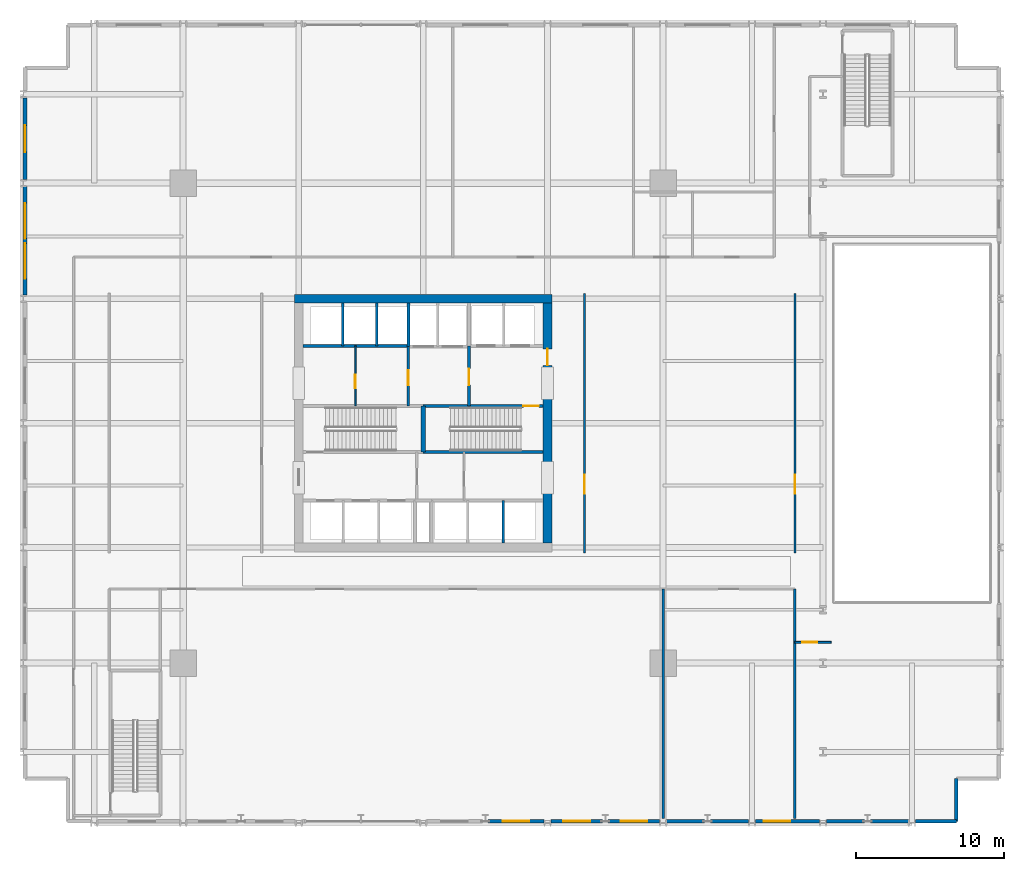
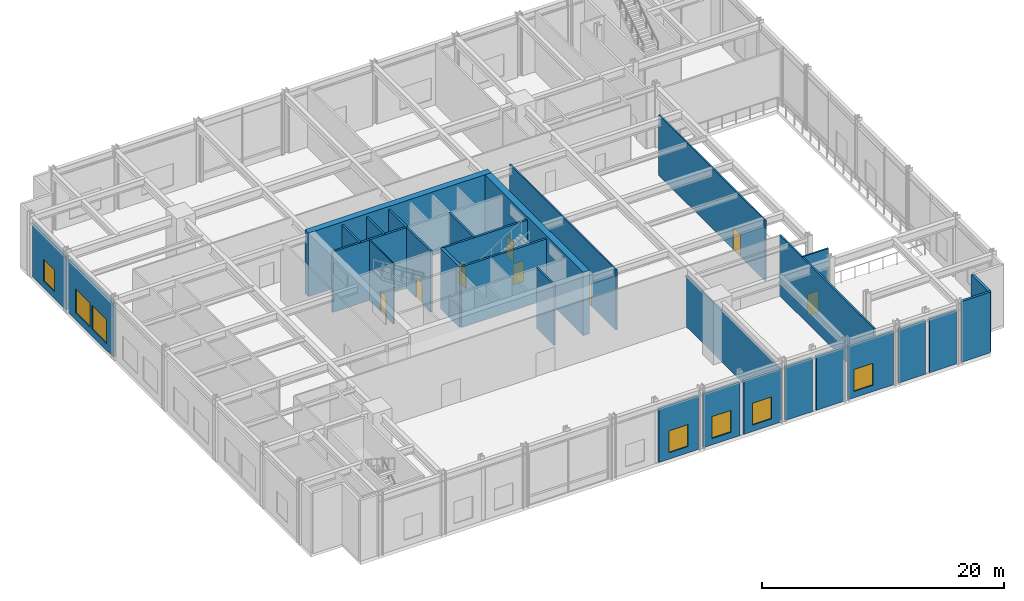
# One storey, part 12 of 20: 30 walls, 8 doors, 7 windows, 15 openings.
"""IFC4 building model written with IfcOpenShell, lengths in metres."""

from ifc_helpers import new_model, si_unit, direction, frame, frame_2d, origin, place, context, subcontext, project, spatial, rectangle, extrude, material, layer, layer_set, type_object, element, fill, save


model = new_model("IFC4")

# Units and contexts
model_context = context("Model", 3, precision=1e-05, world=origin(), true_north=direction((0.0, 1.0)))
body_context = subcontext(model_context, "Body", "Model", "MODEL_VIEW")
ifc_project = project(units=[si_unit("LENGTHUNIT", "METRE"), si_unit("AREAUNIT", "SQUARE_METRE"), si_unit("VOLUMEUNIT", "CUBIC_METRE"), si_unit("PLANEANGLEUNIT", "RADIAN"), si_unit("MASSUNIT", "GRAM", prefix="KILO")], contexts=[model_context])

# Site, building, storey
site_placement = place(None, origin())
site = spatial("IfcSite", under=ifc_project, at=site_placement, CompositionType="ELEMENT")
building_placement = place(site_placement, origin())
building = spatial("IfcBuilding", under=site, at=building_placement, Name="Drelvath Grand Hotel", CompositionType="ELEMENT")
storey_placement = place(building_placement, frame((0.0, 0.0, 10.800048828125)))
storey = spatial("IfcBuildingStorey", under=building, at=storey_placement, Name="L02", CompositionType="ELEMENT", Elevation=10.800048828125)

# Wall, opening, door
ifc_material_1 = material(Name="Gypsum Partition Board")
ifc_layer_1 = layer(ifc_material_1, 0.10009765625)
ifc_layer_set_1 = layer_set([ifc_layer_1], Name="Gypsum Partition Board")
wall_type_1 = type_object("IfcWallType", Name="Core Closet Partition 100", PredefinedType="PARTITIONING", material=ifc_layer_set_1)
wall_1_placement = place(storey_placement, frame((-4.580078125, 28.159912109375, 0.0), z_axis=(0.0, 0.0, 1.0), x_axis=(0.0, 1.0, 0.0)))
wall_1 = element("IfcWall", 1, at=wall_1_placement, inside=storey, type_object=wall_type_1, Name="L02 Core Closet Divider", PredefinedType="PARTITIONING", context=body_context, shape_type="SweptSolid", body=[
    extrude(rectangle(XDim=4.06005859375, YDim=0.10009765625, at=frame_2d((2.030029296875, 0.0))), origin(), (0.0, 0.0, 1.0), 6.099853515625),
])
opening_1_placement = place(wall_1_placement, frame((1.199951171875, 0.0, 0.0)))
opening_1 = element("IfcOpeningElement", 2, at=opening_1_placement, cuts=wall_1, Name="Opening D-L02-010", PredefinedType="OPENING", context=body_context, shape_type="SweptSolid", body=[
    extrude(rectangle(XDim=0.919921875, YDim=2.10009765625, at=frame_2d((0.4599609375, 1.050048828125))), frame((0.0, 0.06005859375, 0.0), z_axis=(0.0, -1.0, 0.0), x_axis=(1.0, 0.0, 0.0)), (0.0, 0.0, 1.0), 0.1201171875),
])
ifc_material_2 = material(Name="Painted Steel S275", Category="steel")
door_type_1 = type_object("IfcDoorType", Name="Staff Utility Door 920x2100", OperationType="NOTDEFINED", PredefinedType="DOOR", material=ifc_material_2)
door_1_placement = place(opening_1_placement, origin())
door_1 = element("IfcDoor", 3, at=door_1_placement, inside=storey, type_object=door_type_1, Name="L02 Electrical Closet Door", OperationType="SINGLE_SWING_RIGHT", OverallHeight=2.10009765625, OverallWidth=0.919921875, PredefinedType="DOOR", context=body_context, shape_type="SweptSolid", body=[
    extrude(rectangle(XDim=0.919921875, YDim=2.10009765625, at=frame_2d((0.4599609375, 1.050048828125))), frame((0.0, 0.02490234375, 0.0), z_axis=(0.0, -1.0, 0.0), x_axis=(1.0, 0.0, 0.0)), (0.0, 0.0, 1.0), 0.050048828125),
])
fill(opening_1, door_1)

# Walls
ifc_material_3 = material(Name="Concrete C40/50", Category="concrete")
ifc_layer_2 = layer(ifc_material_3, 0.199951171875)
ifc_layer_set_2 = layer_set([ifc_layer_2], Name="Concrete C40/50")
wall_type_2 = type_object("IfcWallType", Name="Core Hoistway Fire Wall 200", PredefinedType="SOLIDWALL", material=ifc_layer_set_2)
wall_2_placement = place(storey_placement, frame((-1.0, 32.179931640625, 0.0), z_axis=(0.0, 0.0, 1.0), x_axis=(0.0, 1.0, 0.0)))
element("IfcWall", 4, at=wall_2_placement, inside=storey, type_object=wall_type_2, Name="L02 Service Lift West Wall", PredefinedType="SOLIDWALL", context=body_context, shape_type="SweptSolid", body=[
    extrude(rectangle(XDim=2.920166015625, YDim=0.199951171875, at=frame_2d((1.4599609375, 0.0))), origin(), (0.0, 0.0, 1.0), 6.099853515625),
])
wall_3_placement = place(storey_placement, frame((-8.10009765625, 32.219970703125, 0.0), z_axis=(0.0, 0.0, 1.0), x_axis=(1.0, 0.0, 0.0)))
element("IfcWall", 5, at=wall_3_placement, inside=storey, type_object=wall_type_2, Name="L02 Bank 3 Hoistway Wall", PredefinedType="SOLIDWALL", context=body_context, shape_type="SweptSolid", body=[
    extrude(rectangle(XDim=7.10009765625, YDim=0.199951171875, at=frame_2d((3.550048828125, 0.0))), origin(), (0.0, 0.0, 1.0), 6.099853515625),
])
ifc_layer_3 = layer(ifc_material_3, 0.199951171875)
ifc_layer_set_3 = layer_set([ifc_layer_3], Name="Concrete C40/50")
wall_type_3 = type_object("IfcWallType", Name="Core Shaft Fire Wall 200", PredefinedType="SOLIDWALL", material=ifc_layer_set_3)
wall_4_placement = place(storey_placement, frame((0.0, 25.0400390625, 0.0), z_axis=(0.0, 0.0, 1.0), x_axis=(1.0, 0.0, 0.0)))
element("IfcWall", 6, at=wall_4_placement, inside=storey, type_object=wall_type_3, Name="L02 Stair ST-2 South Wall", PredefinedType="SOLIDWALL", context=body_context, shape_type="SweptSolid", body=[
    extrude(rectangle(XDim=8.10009765625, YDim=0.199951171875, at=frame_2d((4.050048828125, 0.0))), origin(), (0.0, 0.0, 1.0), 6.099853515625),
])

# Wall, opening, door
wall_5_placement = place(storey_placement, frame((8.10009765625, 28.159912109375, 0.0), z_axis=(0.0, 0.0, 1.0), x_axis=(-1.0, 0.0, 0.0)))
wall_5 = element("IfcWall", 7, at=wall_5_placement, inside=storey, type_object=wall_type_3, Name="L02 Stair ST-2 North Wall", PredefinedType="SOLIDWALL", context=body_context, shape_type="SweptSolid", body=[
    extrude(rectangle(XDim=8.10009765625, YDim=0.199951171875, at=frame_2d((4.050048828125, 0.0))), origin(), (0.0, 0.0, 1.0), 6.099853515625),
])
opening_2_placement = place(wall_5_placement, frame((0.280029296875, 0.0, 0.0)))
opening_2 = element("IfcOpeningElement", 8, at=opening_2_placement, cuts=wall_5, Name="Opening D-L02-002", PredefinedType="OPENING", context=body_context, shape_type="SweptSolid", body=[
    extrude(rectangle(XDim=1.050048828125, YDim=2.10009765625, at=frame_2d((0.52490234375, 1.050048828125))), frame((0.0, 0.10986328125, 0.0), z_axis=(0.0, -1.0, 0.0), x_axis=(1.0, 0.0, 0.0)), (0.0, 0.0, 1.0), 0.219970703125),
])
door_type_2 = type_object("IfcDoorType", Name="Tower Stairwell Fire Door 1050x2100", OperationType="NOTDEFINED", PredefinedType="DOOR", material=ifc_material_2)
door_2_placement = place(opening_2_placement, origin())
door_2 = element("IfcDoor", 9, at=door_2_placement, inside=storey, type_object=door_type_2, Name="L02 Exit Stair ST-2 Door", OperationType="SINGLE_SWING_LEFT", OverallHeight=2.10009765625, OverallWidth=1.050048828125, PredefinedType="DOOR", context=body_context, shape_type="SweptSolid", body=[
    extrude(rectangle(XDim=1.050048828125, YDim=2.10009765625, at=frame_2d((0.52490234375, 1.050048828125))), frame((0.0, 0.02490234375, 0.0), z_axis=(0.0, -1.0, 0.0), x_axis=(1.0, 0.0, 0.0)), (0.0, 0.0, 1.0), 0.050048828125),
])
fill(opening_2, door_2)

# Walls
ifc_layer_4 = layer(ifc_material_3, 0.300048828125)
ifc_layer_set_4 = layer_set([ifc_layer_4], Name="Concrete C40/50")
wall_type_4 = type_object("IfcWallType", Name="Core Shaft Fire Wall 300", PredefinedType="SOLIDWALL", material=ifc_layer_set_4)
wall_6_placement = place(storey_placement, frame((0.0, 25.0400390625, 0.0), z_axis=(0.0, 0.0, 1.0), x_axis=(0.0, 1.0, 0.0)))
element("IfcWall", 10, at=wall_6_placement, inside=storey, type_object=wall_type_4, Name="L02 Core Stair Divider Wall", PredefinedType="SOLIDWALL", context=body_context, shape_type="SweptSolid", body=[
    extrude(rectangle(XDim=3.119873046875, YDim=0.300048828125, at=frame_2d((1.56005859375, 0.0))), origin(), (0.0, 0.0, 1.0), 6.099853515625),
])
ifc_material_4 = material(Name="Gypsum Fireboard Partition")
ifc_layer_5 = layer(ifc_material_4, 0.1650390625)
ifc_layer_set_5 = layer_set([ifc_layer_5], Name="Gypsum Fireboard Partition")
wall_type_5 = type_object("IfcWallType", Name="Core Shaft Partition 165", PredefinedType="PARTITIONING", material=ifc_layer_set_5)
for number, where, z_axis, x_axis, name in (
    (11, (-5.43994140625, 32.219970703125, 0.0), (0.0, 0.0, 1.0), (0.0, 1.0, 0.0), "L02 Lift PE-7/8 Divider"),
    (12, (-3.1201171875, 32.219970703125, 0.0), (0.0, 0.0, 1.0), (0.0, 1.0, 0.0), "L02 Lift PE-8/9 Divider"),
    (13, (5.39990234375, 18.89990234375, 0.0), (0.0, 0.0, 1.0), (0.0, 1.0, 0.0), "L02 Lift PE-5/6 Divider"),
):
    element("IfcWall", number, at=place(storey_placement, frame(where, z_axis=z_axis, x_axis=x_axis)), inside=storey, type_object=wall_type_5, Name=name, PredefinedType="PARTITIONING", context=body_context, shape_type="SweptSolid", body=[
        extrude(rectangle(XDim=2.880126953125, YDim=0.1650390625, at=frame_2d((1.43994140625, 0.0))), origin(), (0.0, 0.0, 1.0), 6.099853515625),
    ])

# Wall, opening, door
ifc_layer_6 = layer(ifc_material_4, 0.135009765625)
ifc_layer_set_6 = layer_set([ifc_layer_6], Name="Gypsum Fireboard Partition")
wall_type_6 = type_object("IfcWallType", Name="Corridor Fire Barrier Wall 135", PredefinedType="PARTITIONING", material=ifc_layer_set_6)
wall_7_placement = place(storey_placement, frame((10.89990234375, 18.239990234375, 0.0), z_axis=(0.0, 0.0, 1.0), x_axis=(0.0, 1.0, 0.0)))
wall_7 = element("IfcWall", 14, at=wall_7_placement, inside=storey, type_object=wall_type_6, Name="L02 East Inner Gallery Wall", PredefinedType="PARTITIONING", context=body_context, shape_type="SweptSolid", body=[
    extrude(rectangle(XDim=17.52001953125, YDim=0.135009765625, at=frame_2d((8.760009765625, 0.0))), origin(), (0.0, 0.0, 1.0), 6.099853515625),
])
opening_3_placement = place(wall_7_placement, frame((4.0, 0.0, 0.0)))
opening_3 = element("IfcOpeningElement", 15, at=opening_3_placement, cuts=wall_7, Name="Opening D-L02-032", PredefinedType="OPENING", context=body_context, shape_type="SweptSolid", body=[
    extrude(rectangle(XDim=1.260009765625, YDim=2.199951171875, at=frame_2d((0.6298828125, 1.10009765625))), frame((0.0, 0.077392578125, 0.0), z_axis=(0.0, -1.0, 0.0), x_axis=(1.0, 0.0, 0.0)), (0.0, 0.0, 1.0), 0.155029296875),
])
ifc_material_5 = material(Name="Hardwood Walnut Timber", Category="wood")
door_type_3 = type_object("IfcDoorType", Name="Suite Entrance Fire Door 1260x2200", OperationType="NOTDEFINED", PredefinedType="DOOR", material=ifc_material_5)
door_3_placement = place(opening_3_placement, origin())
door_3 = element("IfcDoor", 16, at=door_3_placement, inside=storey, type_object=door_type_3, Name="L02 Center-East Room West Door", OperationType="SINGLE_SWING_RIGHT", OverallHeight=2.199951171875, OverallWidth=1.260009765625, PredefinedType="DOOR", context=body_context, shape_type="SweptSolid", body=[
    extrude(rectangle(XDim=1.260009765625, YDim=2.199951171875, at=frame_2d((0.6298828125, 1.10009765625))), frame((0.0, 0.02490234375, 0.0), z_axis=(0.0, -1.0, 0.0), x_axis=(1.0, 0.0, 0.0)), (0.0, 0.0, 1.0), 0.050048828125),
])
fill(opening_3, door_3)

wall_8_placement = place(storey_placement, frame((25.10009765625, 18.239990234375, 0.0), z_axis=(0.0, 0.0, 1.0), x_axis=(0.0, 1.0, 0.0)))
wall_8 = element("IfcWall", 17, at=wall_8_placement, inside=storey, type_object=wall_type_6, Name="L02 Atrium Promenade Inner Wall", PredefinedType="PARTITIONING", context=body_context, shape_type="SweptSolid", body=[
    extrude(rectangle(XDim=17.52001953125, YDim=0.135009765625, at=frame_2d((8.760009765625, 0.0))), origin(), (0.0, 0.0, 1.0), 6.099853515625),
])
opening_4_placement = place(wall_8_placement, frame((4.0, 0.0, 0.0)))
opening_4 = element("IfcOpeningElement", 18, at=opening_4_placement, cuts=wall_8, Name="Opening D-L02-033", PredefinedType="OPENING", context=body_context, shape_type="SweptSolid", body=[
    extrude(rectangle(XDim=1.260009765625, YDim=2.199951171875, at=frame_2d((0.6298828125, 1.10009765625))), frame((0.0, 0.077392578125, 0.0), z_axis=(0.0, -1.0, 0.0), x_axis=(1.0, 0.0, 0.0)), (0.0, 0.0, 1.0), 0.155029296875),
])
door_4_placement = place(opening_4_placement, origin())
door_4 = element("IfcDoor", 19, at=door_4_placement, inside=storey, type_object=door_type_3, Name="L02 Center-East Room Atrium Door", OperationType="SINGLE_SWING_LEFT", OverallHeight=2.199951171875, OverallWidth=1.260009765625, PredefinedType="DOOR", context=body_context, shape_type="SweptSolid", body=[
    extrude(rectangle(XDim=1.260009765625, YDim=2.199951171875, at=frame_2d((0.6298828125, 1.10009765625))), frame((0.0, 0.02490234375, 0.0), z_axis=(0.0, -1.0, 0.0), x_axis=(1.0, 0.0, 0.0)), (0.0, 0.0, 1.0), 0.050048828125),
])
fill(opening_4, door_4)

wall_9_placement = place(storey_placement, frame((25.10009765625, 12.199951171875, 0.0), z_axis=(0.0, 0.0, 1.0), x_axis=(1.0, 0.0, 0.0)))
wall_9 = element("IfcWall", 20, at=wall_9_placement, inside=storey, type_object=wall_type_6, Name="L02 SE Atrium Corner Return", PredefinedType="PARTITIONING", context=body_context, shape_type="SweptSolid", body=[
    extrude(rectangle(XDim=2.449951171875, YDim=0.135009765625, at=frame_2d((1.22509765625, 0.0))), origin(), (0.0, 0.0, 1.0), 6.099853515625),
])
opening_5_placement = place(wall_9_placement, frame((0.5, 0.0, 0.0)))
opening_5 = element("IfcOpeningElement", 21, at=opening_5_placement, cuts=wall_9, Name="Opening D-L02-022", PredefinedType="OPENING", context=body_context, shape_type="SweptSolid", body=[
    extrude(rectangle(XDim=1.02001953125, YDim=2.14990234375, at=frame_2d((0.510009765625, 1.074951171875))), frame((0.0, 0.077392578125, 0.0), z_axis=(0.0, -1.0, 0.0), x_axis=(1.0, 0.0, 0.0)), (0.0, 0.0, 1.0), 0.155029296875),
])
door_type_4 = type_object("IfcDoorType", Name="Amenity Meeting Fire Door 1020x2150", OperationType="NOTDEFINED", PredefinedType="DOOR", material=ifc_material_5)
door_5_placement = place(opening_5_placement, origin())
door_5 = element("IfcDoor", 22, at=door_5_placement, inside=storey, type_object=door_type_4, Name="L02 SE VIP Salon Door", OperationType="SINGLE_SWING_LEFT", OverallHeight=2.14990234375, OverallWidth=1.02001953125, PredefinedType="DOOR", context=body_context, shape_type="SweptSolid", body=[
    extrude(rectangle(XDim=1.02001953125, YDim=2.14990234375, at=frame_2d((0.510009765625, 1.074951171875))), frame((0.0, 0.02490234375, 0.0), z_axis=(0.0, -1.0, 0.0), x_axis=(1.0, 0.0, 0.0)), (0.0, 0.0, 1.0), 0.050048828125),
])
fill(opening_5, door_5)

ifc_layer_7 = layer(ifc_material_4, 0.179931640625)
ifc_layer_set_7 = layer_set([ifc_layer_7], Name="Gypsum Fireboard Partition")
wall_type_7 = type_object("IfcWallType", Name="FSAE Smoke Lobby Fire Wall 180", PredefinedType="SOLIDWALL", material=ifc_layer_set_7)
wall_10_placement = place(storey_placement, frame((3.10009765625, 28.159912109375, 0.0), z_axis=(0.0, 0.0, 1.0), x_axis=(0.0, 1.0, 0.0)))
wall_10 = element("IfcWall", 23, at=wall_10_placement, inside=storey, type_object=wall_type_7, Name="L02 FSAE Smoke Lobby West Wall", PredefinedType="SOLIDWALL", context=body_context, shape_type="SweptSolid", body=[
    extrude(rectangle(XDim=4.06005859375, YDim=0.179931640625, at=frame_2d((2.030029296875, 0.0))), origin(), (0.0, 0.0, 1.0), 6.099853515625),
])
opening_6_placement = place(wall_10_placement, frame((1.39990234375, 0.0, 0.0)))
opening_6 = element("IfcOpeningElement", 24, at=opening_6_placement, cuts=wall_10, Name="Opening D-L02-005", PredefinedType="OPENING", context=body_context, shape_type="SweptSolid", body=[
    extrude(rectangle(XDim=1.1201171875, YDim=2.10009765625, at=frame_2d((0.56005859375, 1.050048828125))), frame((0.0, 0.099853515625, 0.0), z_axis=(0.0, -1.0, 0.0), x_axis=(1.0, 0.0, 0.0)), (0.0, 0.0, 1.0), 0.199951171875),
])
door_type_5 = type_object("IfcDoorType", Name="FSAE Smoke Lobby Fire Door 1120x2100", OperationType="NOTDEFINED", PredefinedType="DOOR", material=ifc_material_2)
door_6_placement = place(opening_6_placement, origin())
door_6 = element("IfcDoor", 25, at=door_6_placement, inside=storey, type_object=door_type_5, Name="L02 FSAE Lobby Service Vestibule Door", OperationType="SINGLE_SWING_RIGHT", OverallHeight=2.10009765625, OverallWidth=1.1201171875, PredefinedType="DOOR", context=body_context, shape_type="SweptSolid", body=[
    extrude(rectangle(XDim=1.1201171875, YDim=2.10009765625, at=frame_2d((0.56005859375, 1.050048828125))), frame((0.0, 0.02490234375, 0.0), z_axis=(0.0, -1.0, 0.0), x_axis=(1.0, 0.0, 0.0)), (0.0, 0.0, 1.0), 0.050048828125),
])
fill(opening_6, door_6)

wall_11_placement = place(storey_placement, frame((-1.0, 28.159912109375, 0.0), z_axis=(0.0, 0.0, 1.0), x_axis=(0.0, 1.0, 0.0)))
wall_11 = element("IfcWall", 26, at=wall_11_placement, inside=storey, type_object=wall_type_7, Name="L02 Service Vestibule West Wall", PredefinedType="SOLIDWALL", context=body_context, shape_type="SweptSolid", body=[
    extrude(rectangle(XDim=4.02001953125, YDim=0.179931640625, at=frame_2d((2.010009765625, 0.0))), origin(), (0.0, 0.0, 1.0), 6.099853515625),
])
opening_7_placement = place(wall_11_placement, frame((1.39990234375, 0.0, 0.0)))
opening_7 = element("IfcOpeningElement", 27, at=opening_7_placement, cuts=wall_11, Name="Opening D-L02-009", PredefinedType="OPENING", context=body_context, shape_type="SweptSolid", body=[
    extrude(rectangle(XDim=1.0, YDim=2.10009765625, at=frame_2d((0.5, 1.050048828125))), frame((0.0, 0.099853515625, 0.0), z_axis=(0.0, -1.0, 0.0), x_axis=(1.0, 0.0, 0.0)), (0.0, 0.0, 1.0), 0.199951171875),
])
door_type_6 = type_object("IfcDoorType", Name="Core Service Fire Door 1000x2100", OperationType="NOTDEFINED", PredefinedType="DOOR", material=ifc_material_2)
door_7_placement = place(opening_7_placement, origin())
door_7 = element("IfcDoor", 28, at=door_7_placement, inside=storey, type_object=door_type_6, Name="L02 Service Vestibule West Door", OperationType="SINGLE_SWING_LEFT", OverallHeight=2.10009765625, OverallWidth=1.0, PredefinedType="DOOR", context=body_context, shape_type="SweptSolid", body=[
    extrude(rectangle(XDim=1.0, YDim=2.10009765625, at=frame_2d((0.5, 1.050048828125))), frame((0.0, 0.02490234375, 0.0), z_axis=(0.0, -1.0, 0.0), x_axis=(1.0, 0.0, 0.0)), (0.0, 0.0, 1.0), 0.050048828125),
])
fill(opening_7, door_7)

# Wall
ifc_material_6 = material(Name="Concrete f'c 70 MPa", Category="concrete")
ifc_layer_8 = layer(ifc_material_6, 0.60009765625)
ifc_layer_set_8 = layer_set([ifc_layer_8], Name="Concrete f'c 70 MPa")
wall_type_8 = type_object("IfcWallType", Name="Lower Core RC Shear Wall 600", PredefinedType="SHEAR", material=ifc_layer_set_8)
wall_12_placement = place(storey_placement, frame((-8.699951171875, 35.39990234375, 0.0), z_axis=(0.0, 0.0, 1.0), x_axis=(1.0, 0.0, 0.0)))
element("IfcWall", 29, at=wall_12_placement, inside=storey, type_object=wall_type_8, Name="L02 Central Core Shear Wall N", PredefinedType="SHEAR", context=body_context, shape_type="SweptSolid", body=[
    extrude(rectangle(XDim=17.39990234375, YDim=0.60009765625, at=frame_2d((8.699951171875, 0.0))), origin(), (0.0, 0.0, 1.0), 6.39990234375),
])

# Wall, opening, door
wall_13_placement = place(storey_placement, frame((8.39990234375, 35.10009765625, 0.0), z_axis=(0.0, 0.0, 1.0), x_axis=(0.0, -1.0, 0.0)))
wall_13 = element("IfcWall", 30, at=wall_13_placement, inside=storey, type_object=wall_type_8, Name="L02 Central Core Shear Wall E", PredefinedType="SHEAR", context=body_context, shape_type="SweptSolid", body=[
    extrude(rectangle(XDim=16.2001953125, YDim=0.60009765625, at=frame_2d((8.10009765625, 0.0))), origin(), (0.0, 0.0, 1.0), 6.39990234375),
])
opening_8_placement = place(wall_13_placement, frame((3.080078125, 0.0, 0.0)))
opening_8 = element("IfcOpeningElement", 31, at=opening_8_placement, cuts=wall_13, Name="Opening D-L02-006", PredefinedType="OPENING", context=body_context, shape_type="SweptSolid", body=[
    extrude(rectangle(XDim=1.1201171875, YDim=2.10009765625, at=frame_2d((0.56005859375, 1.050048828125))), frame((0.0, 0.31005859375, 0.0), z_axis=(0.0, -1.0, 0.0), x_axis=(1.0, 0.0, 0.0)), (0.0, 0.0, 1.0), 0.6201171875),
])
door_8_placement = place(opening_8_placement, origin())
door_8 = element("IfcDoor", 32, at=door_8_placement, inside=storey, type_object=door_type_5, Name="L02 FSAE Lobby East Corridor Door", OperationType="SINGLE_SWING_LEFT", OverallHeight=2.10009765625, OverallWidth=1.1201171875, PredefinedType="DOOR", context=body_context, shape_type="SweptSolid", body=[
    extrude(rectangle(XDim=1.1201171875, YDim=2.10009765625, at=frame_2d((0.56005859375, 1.050048828125))), frame((0.0, 0.02490234375, 0.0), z_axis=(0.0, -1.0, 0.0), x_axis=(1.0, 0.0, 0.0)), (0.0, 0.0, 1.0), 0.050048828125),
])
fill(opening_8, door_8)

# Wall, openings, windows
ifc_material_7 = material(Name="Insulated Granite Rainscreen Assembly", Category="masonry")
ifc_layer_9 = layer(ifc_material_7, 0.239990234375)
ifc_layer_set_9 = layer_set([ifc_layer_9], Name="Insulated Granite Rainscreen Assembly")
wall_type_9 = type_object("IfcWallType", Name="Podium Granite Rainscreen Exterior Wall 240", PredefinedType="STANDARD", material=ifc_layer_set_9)
wall_14_placement = place(storey_placement, frame((-26.8798828125, 35.640869140625, 0.0), z_axis=(0.0, 0.0, 1.0), x_axis=(0.0, 1.0, 0.0)))
wall_14 = element("IfcWall", 33, at=wall_14_placement, inside=storey, type_object=wall_type_9, Name="L02 West Podium Granite Wall 6", PredefinedType="STANDARD", context=body_context, shape_type="SweptSolid", body=[
    extrude(rectangle(XDim=7.318115234375, YDim=0.239990234375, at=frame_2d((3.6591796875, 0.0))), origin(), (0.0, 0.0, 1.0), 5.404296875),
])
opening_9_placement = place(wall_14_placement, frame((1.10009765625, 0.0, 0.699951171875)))
opening_9 = element("IfcOpeningElement", 34, at=opening_9_placement, cuts=wall_14, Name="Opening W-01", PredefinedType="OPENING", context=body_context, shape_type="SweptSolid", body=[
    extrude(rectangle(XDim=2.39990234375, YDim=2.39990234375, at=frame_2d((1.199951171875, 1.199951171875))), frame((0.0, 0.1298828125, 0.0), z_axis=(0.0, -1.0, 0.0), x_axis=(1.0, 0.0, 0.0)), (0.0, 0.0, 1.0), 0.260009765625),
])
opening_10_placement = place(wall_14_placement, frame((3.818115234375, 0.0, 0.699951171875)))
opening_10 = element("IfcOpeningElement", 35, at=opening_10_placement, cuts=wall_14, Name="Opening W-01", PredefinedType="OPENING", context=body_context, shape_type="SweptSolid", body=[
    extrude(rectangle(XDim=2.39990234375, YDim=2.39990234375, at=frame_2d((1.199951171875, 1.199951171875))), frame((0.0, 0.1298828125, 0.0), z_axis=(0.0, -1.0, 0.0), x_axis=(1.0, 0.0, 0.0)), (0.0, 0.0, 1.0), 0.260009765625),
])
ifc_material_8 = material(Name="Bronze Anodised Low-E Triple Glazing", Category="glass")
window_type_1 = type_object("IfcWindowType", Name="Chicago Triple-Pane Podium Window 2400x2600", PartitioningType="TRIPLE_PANEL_VERTICAL", PredefinedType="WINDOW", material=ifc_material_8)
window_1_placement = place(opening_9_placement, origin())
window_1 = element("IfcWindow", 36, at=window_1_placement, inside=storey, type_object=window_type_1, Name="L02 West Podium Window 6-1", OverallHeight=2.39990234375, OverallWidth=2.39990234375, PartitioningType="SINGLE_PANEL", PredefinedType="WINDOW", context=body_context, shape_type="SweptSolid", body=[
    extrude(rectangle(XDim=2.39990234375, YDim=2.39990234375, at=frame_2d((1.199951171875, 1.199951171875))), frame((0.0, 0.030029296875, 0.0), z_axis=(0.0, -1.0, 0.0), x_axis=(1.0, 0.0, 0.0)), (0.0, 0.0, 1.0), 0.06005859375),
])
fill(opening_9, window_1)
window_2_placement = place(opening_10_placement, origin())
window_2 = element("IfcWindow", 37, at=window_2_placement, inside=storey, type_object=window_type_1, Name="L02 West Podium Window 6-2", OverallHeight=2.39990234375, OverallWidth=2.39990234375, PartitioningType="SINGLE_PANEL", PredefinedType="WINDOW", context=body_context, shape_type="SweptSolid", body=[
    extrude(rectangle(XDim=2.39990234375, YDim=2.39990234375, at=frame_2d((1.199951171875, 1.199951171875))), frame((0.0, 0.030029296875, 0.0), z_axis=(0.0, -1.0, 0.0), x_axis=(1.0, 0.0, 0.0)), (0.0, 0.0, 1.0), 0.06005859375),
])
fill(opening_10, window_2)

# Wall, opening, window
wall_15_placement = place(storey_placement, frame((-26.8798828125, 43.44091796875, 0.0), z_axis=(0.0, 0.0, 1.0), x_axis=(0.0, 1.0, 0.0)))
wall_15 = element("IfcWall", 38, at=wall_15_placement, inside=storey, type_object=wall_type_9, Name="L02 West Podium Granite Wall 7", PredefinedType="STANDARD", context=body_context, shape_type="SweptSolid", body=[
    extrude(rectangle(XDim=5.51806640625, YDim=0.239990234375, at=frame_2d((2.759033203125, 0.0))), origin(), (0.0, 0.0, 1.0), 5.404296875),
])
opening_11_placement = place(wall_15_placement, frame((1.859130859375, 0.0, 0.699951171875)))
opening_11 = element("IfcOpeningElement", 39, at=opening_11_placement, cuts=wall_15, Name="Opening W-02", PredefinedType="OPENING", context=body_context, shape_type="SweptSolid", body=[
    extrude(rectangle(XDim=1.800048828125, YDim=2.199951171875, at=frame_2d((0.89990234375, 1.10009765625))), frame((0.0, 0.1298828125, 0.0), z_axis=(0.0, -1.0, 0.0), x_axis=(1.0, 0.0, 0.0)), (0.0, 0.0, 1.0), 0.260009765625),
])
window_type_2 = type_object("IfcWindowType", Name="Chicago Double-Pane Podium Window 1800x2400", PartitioningType="DOUBLE_PANEL_VERTICAL", PredefinedType="WINDOW", material=ifc_material_8)
window_3_placement = place(opening_11_placement, origin())
window_3 = element("IfcWindow", 40, at=window_3_placement, inside=storey, type_object=window_type_2, Name="L02 West Podium Window 7", OverallHeight=2.199951171875, OverallWidth=1.800048828125, PartitioningType="SINGLE_PANEL", PredefinedType="WINDOW", context=body_context, shape_type="SweptSolid", body=[
    extrude(rectangle(XDim=1.800048828125, YDim=2.199951171875, at=frame_2d((0.89990234375, 1.10009765625))), frame((0.0, 0.030029296875, 0.0), z_axis=(0.0, -1.0, 0.0), x_axis=(1.0, 0.0, 0.0)), (0.0, 0.0, 1.0), 0.06005859375),
])
fill(opening_11, window_3)

wall_16_placement = place(storey_placement, frame((8.1591796875, 0.1201171875, 0.0), z_axis=(0.0, 0.0, 1.0), x_axis=(-1.0, 0.0, 0.0)))
wall_16 = element("IfcWall", 41, at=wall_16_placement, inside=storey, type_object=wall_type_9, Name="L02 South Podium Granite Wall 8", PredefinedType="STANDARD", context=body_context, shape_type="SweptSolid", body=[
    extrude(rectangle(XDim=3.7666015625, YDim=0.239990234375, at=frame_2d((1.88330078125, 0.0))), origin(), (0.0, 0.0, 1.0), 5.404296875),
])
opening_12_placement = place(wall_16_placement, frame((0.983154296875, 0.0, 0.64990234375)))
opening_12 = element("IfcOpeningElement", 42, at=opening_12_placement, cuts=wall_16, Name="Opening W-02", PredefinedType="OPENING", context=body_context, shape_type="SweptSolid", body=[
    extrude(rectangle(XDim=1.800048828125, YDim=2.199951171875, at=frame_2d((0.89990234375, 1.10009765625))), frame((0.0, 0.1298828125, 0.0), z_axis=(0.0, -1.0, 0.0), x_axis=(1.0, 0.0, 0.0)), (0.0, 0.0, 1.0), 0.260009765625),
])
window_4_placement = place(opening_12_placement, origin())
window_4 = element("IfcWindow", 43, at=window_4_placement, inside=storey, type_object=window_type_2, Name="L02 South Chicago Window 8", OverallHeight=2.199951171875, OverallWidth=1.800048828125, PartitioningType="SINGLE_PANEL", PredefinedType="WINDOW", context=body_context, shape_type="SweptSolid", body=[
    extrude(rectangle(XDim=1.800048828125, YDim=2.199951171875, at=frame_2d((0.89990234375, 1.10009765625))), frame((0.0, 0.030029296875, 0.0), z_axis=(0.0, -1.0, 0.0), x_axis=(1.0, 0.0, 0.0)), (0.0, 0.0, 1.0), 0.06005859375),
])
fill(opening_12, window_4)

wall_17_placement = place(storey_placement, frame((12.107421875, 0.1201171875, 0.0), z_axis=(0.0, 0.0, 1.0), x_axis=(-1.0, 0.0, 0.0)))
wall_17 = element("IfcWall", 44, at=wall_17_placement, inside=storey, type_object=wall_type_9, Name="L02 South Podium Granite Wall 9", PredefinedType="STANDARD", context=body_context, shape_type="SweptSolid", body=[
    extrude(rectangle(XDim=3.466552734375, YDim=0.239990234375, at=frame_2d((1.7333984375, 0.0))), origin(), (0.0, 0.0, 1.0), 5.404296875),
])
opening_13_placement = place(wall_17_placement, frame((0.833251953125, 0.0, 0.64990234375)))
opening_13 = element("IfcOpeningElement", 45, at=opening_13_placement, cuts=wall_17, Name="Opening W-02", PredefinedType="OPENING", context=body_context, shape_type="SweptSolid", body=[
    extrude(rectangle(XDim=1.800048828125, YDim=2.199951171875, at=frame_2d((0.89990234375, 1.10009765625))), frame((0.0, 0.1298828125, 0.0), z_axis=(0.0, -1.0, 0.0), x_axis=(1.0, 0.0, 0.0)), (0.0, 0.0, 1.0), 0.260009765625),
])
window_5_placement = place(opening_13_placement, origin())
window_5 = element("IfcWindow", 46, at=window_5_placement, inside=storey, type_object=window_type_2, Name="L02 South Chicago Window 9", OverallHeight=2.199951171875, OverallWidth=1.800048828125, PartitioningType="SINGLE_PANEL", PredefinedType="WINDOW", context=body_context, shape_type="SweptSolid", body=[
    extrude(rectangle(XDim=1.800048828125, YDim=2.199951171875, at=frame_2d((0.89990234375, 1.10009765625))), frame((0.0, 0.030029296875, 0.0), z_axis=(0.0, -1.0, 0.0), x_axis=(1.0, 0.0, 0.0)), (0.0, 0.0, 1.0), 0.06005859375),
])
fill(opening_13, window_5)

wall_18_placement = place(storey_placement, frame((15.958984375, 0.1201171875, 0.0), z_axis=(0.0, 0.0, 1.0), x_axis=(-1.0, 0.0, 0.0)))
wall_18 = element("IfcWall", 47, at=wall_18_placement, inside=storey, type_object=wall_type_9, Name="L02 South Podium Granite Wall 10", PredefinedType="STANDARD", context=body_context, shape_type="SweptSolid", body=[
    extrude(rectangle(XDim=3.46630859375, YDim=0.239990234375, at=frame_2d((1.733154296875, 0.0))), origin(), (0.0, 0.0, 1.0), 5.404296875),
])
opening_14_placement = place(wall_18_placement, frame((0.833251953125, 0.0, 0.64990234375)))
opening_14 = element("IfcOpeningElement", 48, at=opening_14_placement, cuts=wall_18, Name="Opening W-02", PredefinedType="OPENING", context=body_context, shape_type="SweptSolid", body=[
    extrude(rectangle(XDim=1.800048828125, YDim=2.199951171875, at=frame_2d((0.89990234375, 1.10009765625))), frame((0.0, 0.1298828125, 0.0), z_axis=(0.0, -1.0, 0.0), x_axis=(1.0, 0.0, 0.0)), (0.0, 0.0, 1.0), 0.260009765625),
])
window_6_placement = place(opening_14_placement, origin())
window_6 = element("IfcWindow", 49, at=window_6_placement, inside=storey, type_object=window_type_2, Name="L02 South Chicago Window 10", OverallHeight=2.199951171875, OverallWidth=1.800048828125, PartitioningType="SINGLE_PANEL", PredefinedType="WINDOW", context=body_context, shape_type="SweptSolid", body=[
    extrude(rectangle(XDim=1.800048828125, YDim=2.199951171875, at=frame_2d((0.89990234375, 1.10009765625))), frame((0.0, 0.030029296875, 0.0), z_axis=(0.0, -1.0, 0.0), x_axis=(1.0, 0.0, 0.0)), (0.0, 0.0, 1.0), 0.06005859375),
])
fill(opening_14, window_6)

# Walls
for number, where, z_axis, x_axis, name in (
    (50, (19.00732421875, 0.1201171875, 0.0), (0.0, 0.0, 1.0), (-1.0, 0.0, 0.0), "L02 South Podium Granite Wall 11"),
    (51, (21.958984375, 0.1201171875, 0.0), (0.0, 0.0, 1.0), (-1.0, 0.0, 0.0), "L02 South Podium Granite Wall 12"),
):
    element("IfcWall", number, at=place(storey_placement, frame(where, z_axis=z_axis, x_axis=x_axis)), inside=storey, type_object=wall_type_9, Name=name, PredefinedType="STANDARD", context=body_context, shape_type="SweptSolid", body=[
        extrude(rectangle(XDim=2.56640625, YDim=0.239990234375, at=frame_2d((1.283203125, 0.0))), origin(), (0.0, 0.0, 1.0), 5.404296875),
    ])

# Wall, opening, window
wall_19_placement = place(storey_placement, frame((26.759033203125, 0.1201171875, 0.0), z_axis=(0.0, 0.0, 1.0), x_axis=(-1.0, 0.0, 0.0)))
wall_19 = element("IfcWall", 52, at=wall_19_placement, inside=storey, type_object=wall_type_9, Name="L02 South Podium Granite Wall 13", PredefinedType="STANDARD", context=body_context, shape_type="SweptSolid", body=[
    extrude(rectangle(XDim=4.318115234375, YDim=0.239990234375, at=frame_2d((2.1591796875, 0.0))), origin(), (0.0, 0.0, 1.0), 5.404296875),
])
opening_15_placement = place(wall_19_placement, frame((1.958984375, 0.0, 0.64990234375)))
opening_15 = element("IfcOpeningElement", 53, at=opening_15_placement, cuts=wall_19, Name="Opening W-02", PredefinedType="OPENING", context=body_context, shape_type="SweptSolid", body=[
    extrude(rectangle(XDim=1.800048828125, YDim=2.199951171875, at=frame_2d((0.89990234375, 1.10009765625))), frame((0.0, 0.1298828125, 0.0), z_axis=(0.0, -1.0, 0.0), x_axis=(1.0, 0.0, 0.0)), (0.0, 0.0, 1.0), 0.260009765625),
])
window_7_placement = place(opening_15_placement, origin())
window_7 = element("IfcWindow", 54, at=window_7_placement, inside=storey, type_object=window_type_2, Name="L02 South Chicago Window 13", OverallHeight=2.199951171875, OverallWidth=1.800048828125, PartitioningType="SINGLE_PANEL", PredefinedType="WINDOW", context=body_context, shape_type="SweptSolid", body=[
    extrude(rectangle(XDim=1.800048828125, YDim=2.199951171875, at=frame_2d((0.89990234375, 1.10009765625))), frame((0.0, 0.030029296875, 0.0), z_axis=(0.0, -1.0, 0.0), x_axis=(1.0, 0.0, 0.0)), (0.0, 0.0, 1.0), 0.06005859375),
])
fill(opening_15, window_7)

# Walls
for number, where, z_axis, x_axis, name in (
    (55, (29.807373046875, 0.1201171875, 0.0), (0.0, 0.0, 1.0), (-1.0, 0.0, 0.0), "L02 South Podium Granite Wall 14"),
    (56, (32.759033203125, 0.1201171875, 0.0), (0.0, 0.0, 1.0), (-1.0, 0.0, 0.0), "L02 South Podium Granite Wall 15"),
):
    element("IfcWall", number, at=place(storey_placement, frame(where, z_axis=z_axis, x_axis=x_axis)), inside=storey, type_object=wall_type_9, Name=name, PredefinedType="STANDARD", context=body_context, shape_type="SweptSolid", body=[
        extrude(rectangle(XDim=2.56640625, YDim=0.239990234375, at=frame_2d((1.283203125, 0.0))), origin(), (0.0, 0.0, 1.0), 5.404296875),
    ])
wall_20_placement = place(storey_placement, frame((36.0, 0.1201171875, 0.0), z_axis=(0.0, 0.0, 1.0), x_axis=(-1.0, 0.0, 0.0)))
element("IfcWall", 57, at=wall_20_placement, inside=storey, type_object=wall_type_9, Name="L02 South Podium Granite Wall 16", PredefinedType="STANDARD", context=body_context, shape_type="SweptSolid", body=[
    extrude(rectangle(XDim=2.759033203125, YDim=0.239990234375, at=frame_2d((1.37939453125, 0.0))), origin(), (0.0, 0.0, 1.0), 6.099853515625),
])
wall_21_placement = place(storey_placement, frame((36.0, 3.0, 0.0), z_axis=(0.0, 0.0, 1.0), x_axis=(0.0, -1.0, 0.0)))
element("IfcWall", 58, at=wall_21_placement, inside=storey, type_object=wall_type_9, Name="L02 Podium Corner Return Wall CSE2", PredefinedType="STANDARD", context=body_context, shape_type="SweptSolid", body=[
    extrude(rectangle(XDim=2.8798828125, YDim=0.239990234375, at=frame_2d((1.43994140625, 0.0))), origin(), (0.0, 0.0, 1.0), 6.099853515625),
])
ifc_material_9 = material(Name="Gypsum Acoustic Partition")
ifc_layer_10 = layer(ifc_material_9, 0.1650390625)
ifc_layer_set_10 = layer_set([ifc_layer_10], Name="Gypsum Acoustic Partition")
wall_type_10 = type_object("IfcWallType", Name="Suite Demising Wall 165", PredefinedType="PARTITIONING", material=ifc_layer_set_10)
wall_22_placement = place(storey_placement, frame((25.10009765625, 0.300048828125, 0.0), z_axis=(0.0, 0.0, 1.0), x_axis=(0.0, 1.0, 0.0)))
element("IfcWall", 59, at=wall_22_placement, inside=storey, type_object=wall_type_10, Name="L02 SE Wing Wall", PredefinedType="PARTITIONING", context=body_context, shape_type="SweptSolid", body=[
    extrude(rectangle(XDim=15.5, YDim=0.1650390625, at=frame_2d((7.75, 0.0))), origin(), (0.0, 0.0, 1.0), 6.099853515625),
])
wall_23_placement = place(storey_placement, frame((16.199951171875, 0.300048828125, 0.0), z_axis=(0.0, 0.0, 1.0), x_axis=(0.0, 1.0, 0.0)))
element("IfcWall", 60, at=wall_23_placement, inside=storey, type_object=wall_type_10, Name="L02 Grand Ballroom East Acoustic Wall", PredefinedType="PARTITIONING", context=body_context, shape_type="SweptSolid", body=[
    extrude(rectangle(XDim=15.5, YDim=0.1650390625, at=frame_2d((7.75, 0.0))), origin(), (0.0, 0.0, 1.0), 5.13671875),
])

save(model, "model.ifc")
